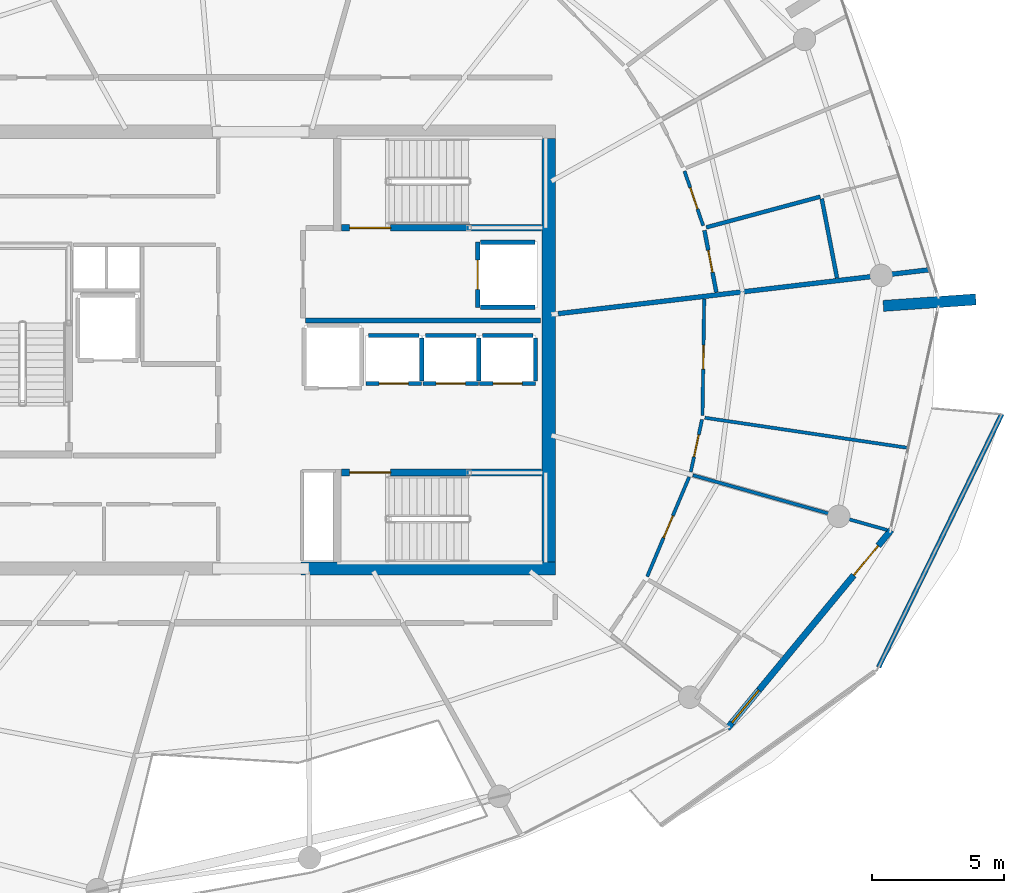
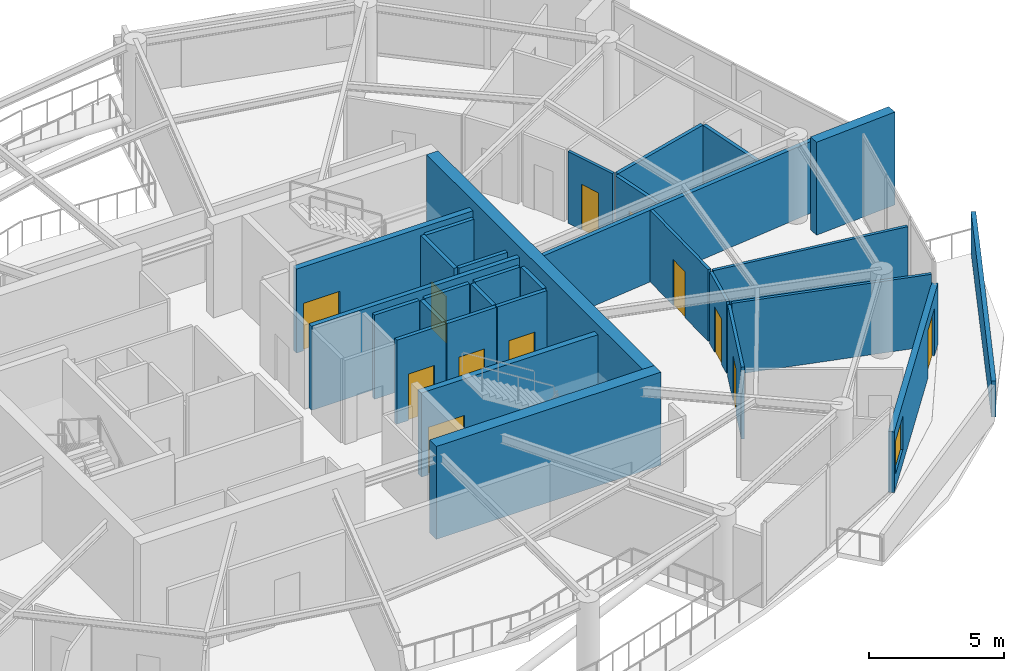
# One storey, part 14 of 21: 30 walls, 12 doors, 1 window, 13 openings.
"""IFC4 building model written with IfcOpenShell, lengths in metres."""

from ifc_helpers import new_model, si_unit, direction, frame, frame_2d, origin, place, context, subcontext, project, spatial, polyline, rectangle, outline, extrude, material, layer, layer_set, type_object, element, fill, save


model = new_model("IFC4")

# Units and contexts
model_context = context("Model", 3, precision=1e-05, world=origin(), true_north=direction((0.0, 1.0)))
body_context = subcontext(model_context, "Body", "Model", "MODEL_VIEW")
ifc_project = project(units=[si_unit("LENGTHUNIT", "METRE"), si_unit("AREAUNIT", "SQUARE_METRE"), si_unit("VOLUMEUNIT", "CUBIC_METRE"), si_unit("PLANEANGLEUNIT", "RADIAN"), si_unit("MASSUNIT", "GRAM", prefix="KILO")], contexts=[model_context])

# Site, building, storey
site_placement = place(None, origin())
site = spatial("IfcSite", under=ifc_project, at=site_placement, CompositionType="ELEMENT")
building_placement = place(site_placement, origin())
building = spatial("IfcBuilding", under=site, at=building_placement, Name="Kazma Halo Residences", CompositionType="ELEMENT")
storey_placement = place(building_placement, frame((0.0, 0.0, 338.89990234375)))
storey = spatial("IfcBuildingStorey", under=building, at=storey_placement, Name="L85", CompositionType="ELEMENT", Elevation=338.89990234375)

# Walls
ifc_material_1 = material(Name="White Concrete C50/60 Balustrade", Category="concrete")
ifc_layer_1 = layer(ifc_material_1, 0.179931640625)
ifc_layer_set_1 = layer_set([ifc_layer_1], Name="White Concrete C50/60 Balustrade")
wall_type_1 = type_object("IfcWallType", Name="WL-BAL-WAVE-180", PredefinedType="PARAPET", material=ifc_layer_set_1)
wall_1_placement = place(storey_placement, frame((71.763916015625, 30.0263671875, 0.0), z_axis=(0.0, 0.0, 1.0), x_axis=(0.437628769895, 0.899155748333, 0.0)))
element("IfcWall", 1, at=wall_1_placement, inside=storey, type_object=wall_type_1, Name="L85 white wave balustrade wall SE.2", PredefinedType="PARAPET", context=body_context, shape_type="SweptSolid", body=[
    extrude(outline(polyline([(0.0, 0.0), (10.634765625, 0.0), (10.634765625, 1.860107421875), (5.3173828125, 1.798095703125), (0.0, 1.632080078125), (0.0, 0.0)])), frame((0.0, 0.08984375, 0.0), z_axis=(0.0, -1.0, 0.0), x_axis=(1.0, 0.0, 0.0)), (0.0, 0.0, 1.0), 0.179931640625),
])
ifc_material_2 = material(Name="Pale Concrete C60/75", Category="concrete")
ifc_layer_2 = layer(ifc_material_2, 0.419921875)
ifc_layer_set_2 = layer_set([ifc_layer_2], Name="Pale Concrete C60/75")
wall_type_2 = type_object("IfcWallType", Name="WL-BLADE-420", PredefinedType="SOLIDWALL", material=ifc_layer_set_2)
wall_2_placement = place(storey_placement, frame((71.94091796875, 43.674072265625, 0.0), z_axis=(0.0, 0.0, 1.0), x_axis=(0.997564163539, 0.069754853754, 0.0)))
element("IfcWall", 2, at=wall_2_placement, inside=storey, type_object=wall_type_2, Name="L85 pale concrete structural blade fin wall BW-04", PredefinedType="SOLIDWALL", context=body_context, shape_type="SweptSolid", body=[
    extrude(rectangle(XDim=3.5, YDim=0.419921875, at=frame_2d((1.75, 0.0))), origin(), (0.0, 0.0, 1.0), 4.2001953125),
])
ifc_material_3 = material(Name="Concrete C60/75", Category="concrete")
ifc_layer_3 = layer(ifc_material_3, 0.5)
ifc_layer_set_3 = layer_set([ifc_layer_3], Name="Concrete C60/75")
wall_type_3 = type_object("IfcWallType", Name="WL-CORE-500", PredefinedType="SHEAR", material=ifc_layer_set_3)
wall_3_placement = place(storey_placement, frame((49.949951171875, 33.75, 0.0), z_axis=(0.0, 0.0, 1.0), x_axis=(1.0, 0.0, 0.0)))
element("IfcWall", 3, at=wall_3_placement, inside=storey, type_object=wall_type_3, Name="L85 central core shear wall SE", PredefinedType="SHEAR", context=body_context, shape_type="SweptSolid", body=[
    extrude(rectangle(XDim=9.60009765625, YDim=0.5, at=frame_2d((4.800048828125, 0.0))), origin(), (0.0, 0.0, 1.0), 4.2001953125),
])
wall_4_placement = place(storey_placement, frame((59.300048828125, 34.0, 0.0), z_axis=(0.0, 0.0, 1.0), x_axis=(0.0, 1.0, 0.0)))
element("IfcWall", 4, at=wall_4_placement, inside=storey, type_object=wall_type_3, Name="L85 central core shear wall E", PredefinedType="SHEAR", context=body_context, shape_type="SweptSolid", body=[
    extrude(rectangle(XDim=16.0, YDim=0.5, at=frame_2d((8.0, 0.0))), origin(), (0.0, 0.0, 1.0), 4.2001953125),
])
ifc_material_4 = material(Name="Acoustic Twin-Stud Gypsum")
ifc_layer_4 = layer(ifc_material_4, 0.179931640625)
ifc_layer_set_4 = layer_set([ifc_layer_4], Name="Acoustic Twin-Stud Gypsum")
wall_type_4 = type_object("IfcWallType", Name="WL-DEM-180", PredefinedType="PARTITIONING", material=ifc_layer_set_4)
wall_5_placement = place(storey_placement, frame((59.6591796875, 43.3798828125, 0.0), z_axis=(0.0, 0.0, 1.0), x_axis=(0.993068307517, 0.117538660041, 0.0)))
element("IfcWall", 5, at=wall_5_placement, inside=storey, type_object=wall_type_4, Name="L85 apartment demising radial wall 15", PredefinedType="PARTITIONING", context=body_context, shape_type="SweptSolid", body=[
    extrude(rectangle(XDim=14.09521484375, YDim=0.179931640625, at=frame_2d((7.047607421875, 0.0))), origin(), (0.0, 0.0, 1.0), 3.239990234375),
])

# Wall, openings, door, window
ifc_material_5 = material(Name="Insulated Pale-Metal Composite Wall")
ifc_layer_5 = layer(ifc_material_5, 0.239990234375)
ifc_layer_set_5 = layer_set([ifc_layer_5], Name="Insulated Pale-Metal Composite Wall")
wall_type_5 = type_object("IfcWallType", Name="WL-EXT-HOST-240", PredefinedType="SOLIDWALL", material=ifc_layer_set_5)
wall_6_placement = place(storey_placement, frame((66.044677734375, 27.711181640625, 0.0), z_axis=(0.0, 0.0, 1.0), x_axis=(0.636803612721, 0.771026042897, 0.0)))
wall_6 = element("IfcWall", 6, at=wall_6_placement, inside=storey, type_object=wall_type_5, Name="L85 exterior terrace-access wall B14", PredefinedType="SOLIDWALL", context=body_context, shape_type="SweptSolid", body=[
    extrude(rectangle(XDim=9.7275390625, YDim=0.239990234375, at=frame_2d((4.86376953125, 0.0))), origin(), (0.0, 0.0, 1.0), 2.75),
])
opening_1_placement = place(wall_6_placement, frame((7.5078125, 0.0, 0.0)))
opening_1 = element("IfcOpeningElement", 7, at=opening_1_placement, cuts=wall_6, Name="Opening DTR-1600", PredefinedType="OPENING", context=body_context, shape_type="SweptSolid", body=[
    extrude(rectangle(XDim=1.449951171875, YDim=2.14990234375, at=frame_2d((0.72509765625, 1.074951171875))), frame((0.0, 0.1298828125, 0.0), z_axis=(0.0, -1.0, 0.0), x_axis=(1.0, 0.0, 0.0)), (0.0, 0.0, 1.0), 0.260009765625),
])
opening_2_placement = place(wall_6_placement, frame((0.280029296875, 0.0, 0.64990234375)))
opening_2 = element("IfcOpeningElement", 8, at=opening_2_placement, cuts=wall_6, Name="Opening W-1800", PredefinedType="OPENING", context=body_context, shape_type="SweptSolid", body=[
    extrude(rectangle(XDim=1.60009765625, YDim=1.5, at=frame_2d((0.800048828125, 0.75))), frame((0.0, 0.1298828125, 0.0), z_axis=(0.0, -1.0, 0.0), x_axis=(1.0, 0.0, 0.0)), (0.0, 0.0, 1.0), 0.260009765625),
])
ifc_material_6 = material(Name="Aluminium AW-6063 T6 Double-Glazed Terrace Door", Category="aluminium")
door_type_1 = type_object("IfcDoorType", Name="DR-EXT-TERR-1600", OperationType="NOTDEFINED", PredefinedType="DOOR", material=ifc_material_6)
door_1_placement = place(opening_1_placement, origin())
door_1 = element("IfcDoor", 9, at=door_1_placement, inside=storey, type_object=door_type_1, Name="L85 B14 balcony terrace door", OperationType="DOUBLE_DOOR_SLIDING", OverallHeight=2.14990234375, OverallWidth=1.449951171875, PredefinedType="DOOR", context=body_context, shape_type="SweptSolid", body=[
    extrude(rectangle(XDim=1.449951171875, YDim=2.14990234375, at=frame_2d((0.72509765625, 1.074951171875))), frame((0.0, 0.02490234375, 0.0), z_axis=(0.0, -1.0, 0.0), x_axis=(1.0, 0.0, 0.0)), (0.0, 0.0, 1.0), 0.050048828125),
])
fill(opening_1, door_1)
ifc_material_7 = material(Name="Clear Triple-Silver Low-E Glass in Aluminium AW-6063 T6 Frame", Category="aluminium")
window_type = type_object("IfcWindowType", Name="WIN-RES-1800", PartitioningType="DOUBLE_PANEL_VERTICAL", PredefinedType="WINDOW", material=ifc_material_7)
window_placement = place(opening_2_placement, origin())
window = element("IfcWindow", 10, at=window_placement, inside=storey, type_object=window_type, Name="L85 B14 apartment window", OverallHeight=1.5, OverallWidth=1.60009765625, PartitioningType="SINGLE_PANEL", PredefinedType="WINDOW", context=body_context, shape_type="SweptSolid", body=[
    extrude(rectangle(XDim=1.60009765625, YDim=1.5, at=frame_2d((0.800048828125, 0.75))), frame((0.0, 0.030029296875, 0.0), z_axis=(0.0, -1.0, 0.0), x_axis=(1.0, 0.0, 0.0)), (0.0, 0.0, 1.0), 0.06005859375),
])
fill(opening_2, window)

# Wall, opening, door
ifc_material_8 = material(Name="Fire-Rated Blockwork Masonry", Category="masonry")
ifc_layer_6 = layer(ifc_material_8, 0.199951171875)
ifc_layer_set_6 = layer_set([ifc_layer_6], Name="Fire-Rated Blockwork Masonry")
wall_type_6 = type_object("IfcWallType", Name="WL-FLB-200", PredefinedType="PARTITIONING", material=ifc_layer_set_6)
wall_7_placement = place(storey_placement, frame((54.5048828125, 40.7451171875, 0.0), z_axis=(0.0, 0.0, 1.0), x_axis=(-1.0, 0.0, 0.0)))
wall_7 = element("IfcWall", 11, at=wall_7_placement, inside=storey, type_object=wall_type_6, Name="L85 lift shaft PH-01 front wall", PredefinedType="PARTITIONING", context=body_context, shape_type="SweptSolid", body=[
    extrude(rectangle(XDim=2.10986328125, YDim=0.159912109375, at=frame_2d((1.054931640625, 0.0))), origin(), (0.0, 0.0, 1.0), 3.800048828125),
])
opening_3_placement = place(wall_7_placement, frame((0.5048828125, 0.0, 0.0)))
opening_3 = element("IfcOpeningElement", 12, at=opening_3_placement, cuts=wall_7, Name="Opening LD-PH-01", PredefinedType="OPENING", context=body_context, shape_type="SweptSolid", body=[
    extrude(rectangle(XDim=1.10009765625, YDim=2.10009765625, at=frame_2d((0.550048828125, 1.050048828125))), frame((0.0, 0.08984375, 0.0), z_axis=(0.0, -1.0, 0.0), x_axis=(1.0, 0.0, 0.0)), (0.0, 0.0, 1.0), 0.179931640625),
])
ifc_material_9 = material(Name="Stainless Steel Fire-Rated", Category="steel")
door_type_2 = type_object("IfcDoorType", Name="DR-LIFT-SLD-1100", OperationType="DOUBLE_DOOR_SLIDING", PredefinedType="DOOR", material=ifc_material_9)
door_2_placement = place(opening_3_placement, origin())
door_2 = element("IfcDoor", 13, at=door_2_placement, inside=storey, type_object=door_type_2, Name="L85 lift PH-01 sliding landing door", OperationType="DOUBLE_DOOR_SLIDING", OverallHeight=2.10009765625, OverallWidth=1.10009765625, PredefinedType="DOOR", context=body_context, shape_type="SweptSolid", body=[
    extrude(rectangle(XDim=1.10009765625, YDim=2.10009765625, at=frame_2d((0.550048828125, 1.050048828125))), frame((0.0, 0.02490234375, 0.0), z_axis=(0.0, -1.0, 0.0), x_axis=(1.0, 0.0, 0.0)), (0.0, 0.0, 1.0), 0.050048828125),
])
fill(opening_3, door_2)

# Walls
wall_8_placement = place(storey_placement, frame((54.5048828125, 40.844970703125, 0.0), z_axis=(0.0, 0.0, 1.0), x_axis=(0.0, 1.0, 0.0)))
element("IfcWall", 14, at=wall_8_placement, inside=storey, type_object=wall_type_6, Name="L85 lift shaft PH-01 side wall E", PredefinedType="PARTITIONING", context=body_context, shape_type="SweptSolid", body=[
    extrude(rectangle(XDim=1.610107421875, YDim=0.159912109375, at=frame_2d((0.80517578125, 0.0))), origin(), (0.0, 0.0, 1.0), 3.800048828125),
])
wall_9_placement = place(storey_placement, frame((52.4951171875, 42.554931640625, 0.0), z_axis=(0.0, 0.0, 1.0), x_axis=(1.0, 0.0, 0.0)))
element("IfcWall", 15, at=wall_9_placement, inside=storey, type_object=wall_type_6, Name="L85 lift shaft PH-01 side wall N", PredefinedType="PARTITIONING", context=body_context, shape_type="SweptSolid", body=[
    extrude(rectangle(XDim=1.909912109375, YDim=0.159912109375, at=frame_2d((0.955078125, 0.0))), origin(), (0.0, 0.0, 1.0), 3.800048828125),
])

# Wall, opening, door
wall_10_placement = place(storey_placement, frame((56.655029296875, 40.7451171875, 0.0), z_axis=(0.0, 0.0, 1.0), x_axis=(-1.0, 0.0, 0.0)))
wall_10 = element("IfcWall", 16, at=wall_10_placement, inside=storey, type_object=wall_type_6, Name="L85 lift shaft PH-02 front wall", PredefinedType="PARTITIONING", context=body_context, shape_type="SweptSolid", body=[
    extrude(rectangle(XDim=2.110107421875, YDim=0.159912109375, at=frame_2d((1.05517578125, 0.0))), origin(), (0.0, 0.0, 1.0), 3.800048828125),
])
opening_4_placement = place(wall_10_placement, frame((0.5048828125, 0.0, 0.0)))
opening_4 = element("IfcOpeningElement", 17, at=opening_4_placement, cuts=wall_10, Name="Opening LD-PH-02", PredefinedType="OPENING", context=body_context, shape_type="SweptSolid", body=[
    extrude(rectangle(XDim=1.10009765625, YDim=2.10009765625, at=frame_2d((0.550048828125, 1.050048828125))), frame((0.0, 0.08984375, 0.0), z_axis=(0.0, -1.0, 0.0), x_axis=(1.0, 0.0, 0.0)), (0.0, 0.0, 1.0), 0.179931640625),
])
door_3_placement = place(opening_4_placement, origin())
door_3 = element("IfcDoor", 18, at=door_3_placement, inside=storey, type_object=door_type_2, Name="L85 lift PH-02 sliding landing door", OperationType="DOUBLE_DOOR_SLIDING", OverallHeight=2.10009765625, OverallWidth=1.10009765625, PredefinedType="DOOR", context=body_context, shape_type="SweptSolid", body=[
    extrude(rectangle(XDim=1.10009765625, YDim=2.10009765625, at=frame_2d((0.550048828125, 1.050048828125))), frame((0.0, 0.02490234375, 0.0), z_axis=(0.0, -1.0, 0.0), x_axis=(1.0, 0.0, 0.0)), (0.0, 0.0, 1.0), 0.050048828125),
])
fill(opening_4, door_3)

# Walls
wall_11_placement = place(storey_placement, frame((56.655029296875, 40.844970703125, 0.0), z_axis=(0.0, 0.0, 1.0), x_axis=(0.0, 1.0, 0.0)))
element("IfcWall", 19, at=wall_11_placement, inside=storey, type_object=wall_type_6, Name="L85 lift shaft PH-02 side wall E", PredefinedType="PARTITIONING", context=body_context, shape_type="SweptSolid", body=[
    extrude(rectangle(XDim=1.610107421875, YDim=0.159912109375, at=frame_2d((0.80517578125, 0.0))), origin(), (0.0, 0.0, 1.0), 3.800048828125),
])
wall_12_placement = place(storey_placement, frame((54.64501953125, 42.554931640625, 0.0), z_axis=(0.0, 0.0, 1.0), x_axis=(1.0, 0.0, 0.0)))
element("IfcWall", 20, at=wall_12_placement, inside=storey, type_object=wall_type_6, Name="L85 lift shaft PH-02 side wall N", PredefinedType="PARTITIONING", context=body_context, shape_type="SweptSolid", body=[
    extrude(rectangle(XDim=1.909912109375, YDim=0.159912109375, at=frame_2d((0.955078125, 0.0))), origin(), (0.0, 0.0, 1.0), 3.800048828125),
])

# Wall, opening, door
wall_13_placement = place(storey_placement, frame((58.804931640625, 40.7451171875, 0.0), z_axis=(0.0, 0.0, 1.0), x_axis=(-1.0, 0.0, 0.0)))
wall_13 = element("IfcWall", 21, at=wall_13_placement, inside=storey, type_object=wall_type_6, Name="L85 lift shaft PH-03 front wall", PredefinedType="PARTITIONING", context=body_context, shape_type="SweptSolid", body=[
    extrude(rectangle(XDim=2.10986328125, YDim=0.159912109375, at=frame_2d((1.054931640625, 0.0))), origin(), (0.0, 0.0, 1.0), 3.800048828125),
])
opening_5_placement = place(wall_13_placement, frame((0.5048828125, 0.0, 0.0)))
opening_5 = element("IfcOpeningElement", 22, at=opening_5_placement, cuts=wall_13, Name="Opening LD-PH-03", PredefinedType="OPENING", context=body_context, shape_type="SweptSolid", body=[
    extrude(rectangle(XDim=1.10009765625, YDim=2.10009765625, at=frame_2d((0.550048828125, 1.050048828125))), frame((0.0, 0.08984375, 0.0), z_axis=(0.0, -1.0, 0.0), x_axis=(1.0, 0.0, 0.0)), (0.0, 0.0, 1.0), 0.179931640625),
])
door_4_placement = place(opening_5_placement, origin())
door_4 = element("IfcDoor", 23, at=door_4_placement, inside=storey, type_object=door_type_2, Name="L85 lift PH-03 sliding landing door", OperationType="DOUBLE_DOOR_SLIDING", OverallHeight=2.10009765625, OverallWidth=1.10009765625, PredefinedType="DOOR", context=body_context, shape_type="SweptSolid", body=[
    extrude(rectangle(XDim=1.10009765625, YDim=2.10009765625, at=frame_2d((0.550048828125, 1.050048828125))), frame((0.0, 0.02490234375, 0.0), z_axis=(0.0, -1.0, 0.0), x_axis=(1.0, 0.0, 0.0)), (0.0, 0.0, 1.0), 0.050048828125),
])
fill(opening_5, door_4)

# Walls
wall_14_placement = place(storey_placement, frame((58.804931640625, 40.844970703125, 0.0), z_axis=(0.0, 0.0, 1.0), x_axis=(0.0, 1.0, 0.0)))
element("IfcWall", 24, at=wall_14_placement, inside=storey, type_object=wall_type_6, Name="L85 lift shaft PH-03 side wall E", PredefinedType="PARTITIONING", context=body_context, shape_type="SweptSolid", body=[
    extrude(rectangle(XDim=1.610107421875, YDim=0.159912109375, at=frame_2d((0.80517578125, 0.0))), origin(), (0.0, 0.0, 1.0), 3.800048828125),
])
wall_15_placement = place(storey_placement, frame((56.794921875, 42.554931640625, 0.0), z_axis=(0.0, 0.0, 1.0), x_axis=(1.0, 0.0, 0.0)))
element("IfcWall", 25, at=wall_15_placement, inside=storey, type_object=wall_type_6, Name="L85 lift shaft PH-03 side wall N", PredefinedType="PARTITIONING", context=body_context, shape_type="SweptSolid", body=[
    extrude(rectangle(XDim=1.91015625, YDim=0.159912109375, at=frame_2d((0.955078125, 0.0))), origin(), (0.0, 0.0, 1.0), 3.800048828125),
])

# Wall, opening, door
wall_16_placement = place(storey_placement, frame((56.6201171875, 46.080078125, 0.0), z_axis=(0.0, 0.0, 1.0), x_axis=(0.0, -1.0, 0.0)))
wall_16 = element("IfcWall", 26, at=wall_16_placement, inside=storey, type_object=wall_type_6, Name="L85 lift shaft FL-02 front wall", PredefinedType="PARTITIONING", context=body_context, shape_type="SweptSolid", body=[
    extrude(rectangle(XDim=2.4599609375, YDim=0.159912109375, at=frame_2d((1.22998046875, 0.0))), origin(), (0.0, 0.0, 1.0), 3.800048828125),
])
opening_6_placement = place(wall_16_placement, frame((0.679931640625, 0.0, 0.0)))
opening_6 = element("IfcOpeningElement", 27, at=opening_6_placement, cuts=wall_16, Name="Opening LD-FL-02", PredefinedType="OPENING", context=body_context, shape_type="SweptSolid", body=[
    extrude(rectangle(XDim=1.10009765625, YDim=2.10009765625, at=frame_2d((0.550048828125, 1.050048828125))), frame((0.0, 0.08984375, 0.0), z_axis=(0.0, -1.0, 0.0), x_axis=(1.0, 0.0, 0.0)), (0.0, 0.0, 1.0), 0.179931640625),
])
door_5_placement = place(opening_6_placement, origin())
door_5 = element("IfcDoor", 28, at=door_5_placement, inside=storey, type_object=door_type_2, Name="L85 lift FL-02 sliding landing door", OperationType="DOUBLE_DOOR_SLIDING", OverallHeight=2.10009765625, OverallWidth=1.10009765625, PredefinedType="DOOR", context=body_context, shape_type="SweptSolid", body=[
    extrude(rectangle(XDim=1.10009765625, YDim=2.10009765625, at=frame_2d((0.550048828125, 1.050048828125))), frame((0.0, 0.02490234375, 0.0), z_axis=(0.0, -1.0, 0.0), x_axis=(1.0, 0.0, 0.0)), (0.0, 0.0, 1.0), 0.050048828125),
])
fill(opening_6, door_5)

# Walls
for number, where, z_axis, x_axis, name in (
    (29, (56.719970703125, 46.080078125, 0.0), (0.0, 0.0, 1.0), (1.0, 0.0, 0.0), "L85 lift shaft FL-02 side wall N"),
    (30, (56.719970703125, 43.6201171875, 0.0), (0.0, 0.0, 1.0), (1.0, 0.0, 0.0), "L85 lift shaft FL-02 side wall S"),
):
    element("IfcWall", number, at=place(storey_placement, frame(where, z_axis=z_axis, x_axis=x_axis)), inside=storey, type_object=wall_type_6, Name=name, PredefinedType="PARTITIONING", context=body_context, shape_type="SweptSolid", body=[
        extrude(rectangle(XDim=2.06005859375, YDim=0.159912109375, at=frame_2d((1.030029296875, 0.0))), origin(), (0.0, 0.0, 1.0), 3.800048828125),
    ])
wall_17_placement = place(storey_placement, frame((50.1201171875, 43.1201171875, 0.0), z_axis=(0.0, 0.0, 1.0), x_axis=(1.0, 0.0, 0.0)))
element("IfcWall", 31, at=wall_17_placement, inside=storey, type_object=wall_type_6, Name="L85 east firefighting lobby south smoke wall", PredefinedType="PARTITIONING", context=body_context, shape_type="SweptSolid", body=[
    extrude(rectangle(XDim=8.8798828125, YDim=0.199951171875, at=frame_2d((4.43994140625, 0.0))), origin(), (0.0, 0.0, 1.0), 3.800048828125),
])

# Wall, opening, door
ifc_material_10 = material(Name="Gypsum Plasterboard Partition")
ifc_layer_7 = layer(ifc_material_10, 0.125)
ifc_layer_set_7 = layer_set([ifc_layer_7], Name="Gypsum Plasterboard Partition")
wall_type_7 = type_object("IfcWallType", Name="WL-PART-125", PredefinedType="PARTITIONING", material=ifc_layer_set_7)
wall_18_placement = place(storey_placement, frame((63.021484375, 33.448486328125, 0.0), z_axis=(0.0, 0.0, 1.0), x_axis=(0.388350881923, 0.921511580236, 0.0)))
wall_18 = element("IfcWall", 32, at=wall_18_placement, inside=storey, type_object=wall_type_7, Name="L85 Penthouse 3 Gourmet Kitchen hall wall", PredefinedType="PARTITIONING", context=body_context, shape_type="SweptSolid", body=[
    extrude(rectangle(XDim=4.0849609375, YDim=0.125, at=frame_2d((2.04248046875, 0.0))), origin(), (0.0, 0.0, 1.0), 3.239990234375),
])
opening_7_placement = place(wall_18_placement, frame((1.592529296875, 0.0, 0.0)))
opening_7 = element("IfcOpeningElement", 33, at=opening_7_placement, cuts=wall_18, Name="Opening DI-950", PredefinedType="OPENING", context=body_context, shape_type="SweptSolid", body=[
    extrude(rectangle(XDim=0.89990234375, YDim=2.080078125, at=frame_2d((0.449951171875, 1.0400390625))), frame((0.0, 0.072509765625, 0.0), z_axis=(0.0, -1.0, 0.0), x_axis=(1.0, 0.0, 0.0)), (0.0, 0.0, 1.0), 0.14501953125),
])
ifc_material_11 = material(Name="Timber Veneer Flush Leaf", Category="wood")
door_type_3 = type_object("IfcDoorType", Name="DR-INT-950", OperationType="NOTDEFINED", PredefinedType="DOOR", material=ifc_material_11)
door_6_placement = place(opening_7_placement, origin())
door_6 = element("IfcDoor", 34, at=door_6_placement, inside=storey, type_object=door_type_3, Name="L85 Penthouse 3 Gourmet Kitchen door", OperationType="SINGLE_SWING_LEFT", OverallHeight=2.080078125, OverallWidth=0.89990234375, PredefinedType="DOOR", context=body_context, shape_type="SweptSolid", body=[
    extrude(rectangle(XDim=0.89990234375, YDim=2.080078125, at=frame_2d((0.449951171875, 1.0400390625))), frame((0.0, 0.02490234375, 0.0), z_axis=(0.0, -1.0, 0.0), x_axis=(1.0, 0.0, 0.0)), (0.0, 0.0, 1.0), 0.050048828125),
])
fill(opening_7, door_6)

# Walls
wall_19_placement = place(storey_placement, frame((64.742919921875, 37.278076171875, 0.0), z_axis=(0.0, 0.0, 1.0), x_axis=(0.962455248497, -0.271440407162, 0.0)))
element("IfcWall", 35, at=wall_19_placement, inside=storey, type_object=wall_type_7, Name="L85 Penthouse 3 radial partition 14", PredefinedType="PARTITIONING", context=body_context, shape_type="SweptSolid", body=[
    extrude(rectangle(XDim=7.630615234375, YDim=0.125, at=frame_2d((3.8154296875, 0.0))), origin(), (0.0, 0.0, 1.0), 3.239990234375),
])
wall_20_placement = place(storey_placement, frame((65.19775390625, 39.448974609375, 0.0), z_axis=(0.0, 0.0, 1.0), x_axis=(0.989175166879, -0.146739528518, 0.0)))
element("IfcWall", 36, at=wall_20_placement, inside=storey, type_object=wall_type_7, Name="L85 Penthouse 3 mid-bay wall 14", PredefinedType="PARTITIONING", context=body_context, shape_type="SweptSolid", body=[
    extrude(rectangle(XDim=7.741455078125, YDim=0.125, at=frame_2d((3.87060546875, 0.0))), origin(), (0.0, 0.0, 1.0), 3.239990234375),
])

# Wall, opening, door
wall_21_placement = place(storey_placement, frame((64.66748046875, 37.403076171875, 0.0), z_axis=(0.0, 0.0, 1.0), x_axis=(0.209586703472, 0.977790066286, 0.0)))
wall_21 = element("IfcWall", 37, at=wall_21_placement, inside=storey, type_object=wall_type_7, Name="L85 Penthouse 3 Primary Dressing Wardrobe hall wall", PredefinedType="PARTITIONING", context=body_context, shape_type="SweptSolid", body=[
    extrude(rectangle(XDim=2.025634765625, YDim=0.125, at=frame_2d((1.0126953125, 0.0))), origin(), (0.0, 0.0, 1.0), 3.239990234375),
])
opening_8_placement = place(wall_21_placement, frame((0.587890625, 0.0, 0.0)))
opening_8 = element("IfcOpeningElement", 38, at=opening_8_placement, cuts=wall_21, Name="Opening DB-900", PredefinedType="OPENING", context=body_context, shape_type="SweptSolid", body=[
    extrude(rectangle(XDim=0.85009765625, YDim=2.06005859375, at=frame_2d((0.425048828125, 1.030029296875))), frame((0.0, 0.072509765625, 0.0), z_axis=(0.0, -1.0, 0.0), x_axis=(1.0, 0.0, 0.0)), (0.0, 0.0, 1.0), 0.14501953125),
])
ifc_material_12 = material(Name="Moisture-Sealed Timber Leaf", Category="wood")
door_type_4 = type_object("IfcDoorType", Name="DR-BTH-900", OperationType="NOTDEFINED", PredefinedType="DOOR", material=ifc_material_12)
door_7_placement = place(opening_8_placement, origin())
door_7 = element("IfcDoor", 39, at=door_7_placement, inside=storey, type_object=door_type_4, Name="L85 Penthouse 3 Primary Dressing Wardrobe door", OperationType="SINGLE_SWING_RIGHT", OverallHeight=2.06005859375, OverallWidth=0.85009765625, PredefinedType="DOOR", context=body_context, shape_type="SweptSolid", body=[
    extrude(rectangle(XDim=0.85009765625, YDim=2.06005859375, at=frame_2d((0.425048828125, 1.030029296875))), frame((0.0, 0.02490234375, 0.0), z_axis=(0.0, -1.0, 0.0), x_axis=(1.0, 0.0, 0.0)), (0.0, 0.0, 1.0), 0.050048828125),
])
fill(opening_8, door_7)

wall_22_placement = place(storey_placement, frame((65.110107421875, 39.5419921875, 0.0), z_axis=(0.0, 0.0, 1.0), x_axis=(0.014677317906, 0.999892282368, 0.0)))
wall_22 = element("IfcWall", 40, at=wall_22_placement, inside=storey, type_object=wall_type_7, Name="L85 Penthouse 3 Secondary Master Bedroom hall wall", PredefinedType="PARTITIONING", context=body_context, shape_type="SweptSolid", body=[
    extrude(rectangle(XDim=4.391357421875, YDim=0.125, at=frame_2d((2.19580078125, 0.0))), origin(), (0.0, 0.0, 1.0), 3.239990234375),
])
opening_9_placement = place(wall_22_placement, frame((1.74560546875, 0.0, 0.0)))
opening_9 = element("IfcOpeningElement", 41, at=opening_9_placement, cuts=wall_22, Name="Opening DI-950", PredefinedType="OPENING", context=body_context, shape_type="SweptSolid", body=[
    extrude(rectangle(XDim=0.89990234375, YDim=2.080078125, at=frame_2d((0.449951171875, 1.0400390625))), frame((0.0, 0.072509765625, 0.0), z_axis=(0.0, -1.0, 0.0), x_axis=(1.0, 0.0, 0.0)), (0.0, 0.0, 1.0), 0.14501953125),
])
door_8_placement = place(opening_9_placement, origin())
door_8 = element("IfcDoor", 42, at=door_8_placement, inside=storey, type_object=door_type_3, Name="L85 Penthouse 3 Secondary Master Bedroom door", OperationType="SINGLE_SWING_LEFT", OverallHeight=2.080078125, OverallWidth=0.89990234375, PredefinedType="DOOR", context=body_context, shape_type="SweptSolid", body=[
    extrude(rectangle(XDim=0.89990234375, YDim=2.080078125, at=frame_2d((0.449951171875, 1.0400390625))), frame((0.0, 0.02490234375, 0.0), z_axis=(0.0, -1.0, 0.0), x_axis=(1.0, 0.0, 0.0)), (0.0, 0.0, 1.0), 0.050048828125),
])
fill(opening_9, door_8)

wall_23_placement = place(storey_placement, frame((65.136962890625, 46.70166015625, 0.0), z_axis=(0.0, 0.0, 1.0), x_axis=(-0.323158498211, 0.946344855237, 0.0)))
wall_23 = element("IfcWall", 43, at=wall_23_placement, inside=storey, type_object=wall_type_7, Name="L85 Penthouse 4 Gourmet Kitchen hall wall", PredefinedType="PARTITIONING", context=body_context, shape_type="SweptSolid", body=[
    extrude(rectangle(XDim=2.184814453125, YDim=0.125, at=frame_2d((1.09228515625, 0.0))), origin(), (0.0, 0.0, 1.0), 3.239990234375),
])
opening_10_placement = place(wall_23_placement, frame((0.66748046875, 0.0, 0.0)))
opening_10 = element("IfcOpeningElement", 44, at=opening_10_placement, cuts=wall_23, Name="Opening DB-900", PredefinedType="OPENING", context=body_context, shape_type="SweptSolid", body=[
    extrude(rectangle(XDim=0.85009765625, YDim=2.06005859375, at=frame_2d((0.425048828125, 1.030029296875))), frame((0.0, 0.072509765625, 0.0), z_axis=(0.0, -1.0, 0.0), x_axis=(1.0, 0.0, 0.0)), (0.0, 0.0, 1.0), 0.14501953125),
])
door_9_placement = place(opening_10_placement, origin())
door_9 = element("IfcDoor", 45, at=door_9_placement, inside=storey, type_object=door_type_4, Name="L85 Penthouse 4 Gourmet Kitchen door", OperationType="SINGLE_SWING_LEFT", OverallHeight=2.06005859375, OverallWidth=0.85009765625, PredefinedType="DOOR", context=body_context, shape_type="SweptSolid", body=[
    extrude(rectangle(XDim=0.85009765625, YDim=2.06005859375, at=frame_2d((0.425048828125, 1.030029296875))), frame((0.0, 0.02490234375, 0.0), z_axis=(0.0, -1.0, 0.0), x_axis=(1.0, 0.0, 0.0)), (0.0, 0.0, 1.0), 0.050048828125),
])
fill(opening_10, door_9)

ifc_material_13 = material(Name="Concrete C50/60", Category="concrete")
ifc_layer_8 = layer(ifc_material_13, 0.25)
ifc_layer_set_8 = layer_set([ifc_layer_8], Name="Concrete C50/60")
wall_type_8 = type_object("IfcWallType", Name="WL-SHF-250", PredefinedType="SOLIDWALL", material=ifc_layer_set_8)
wall_24_placement = place(storey_placement, frame((51.47998046875, 46.6201171875, 0.0), z_axis=(0.0, 0.0, 1.0), x_axis=(1.0, 0.0, 0.0)))
wall_24 = element("IfcWall", 46, at=wall_24_placement, inside=storey, type_object=wall_type_8, Name="L85 exit stair ST-02 enclosure wall", PredefinedType="SOLIDWALL", context=body_context, shape_type="SweptSolid", body=[
    extrude(rectangle(XDim=7.5400390625, YDim=0.25, at=frame_2d((3.77001953125, 0.0))), origin(), (0.0, 0.0, 1.0), 3.800048828125),
])
opening_11_placement = place(wall_24_placement, frame((0.300048828125, 0.0, 0.0)))
opening_11 = element("IfcOpeningElement", 47, at=opening_11_placement, cuts=wall_24, Name="Opening D-ST2", PredefinedType="OPENING", context=body_context, shape_type="SweptSolid", body=[
    extrude(rectangle(XDim=1.550048828125, YDim=2.14990234375, at=frame_2d((0.77490234375, 1.074951171875))), frame((0.0, 0.135009765625, 0.0), z_axis=(0.0, -1.0, 0.0), x_axis=(1.0, 0.0, 0.0)), (0.0, 0.0, 1.0), 0.27001953125),
])
ifc_material_14 = material(Name="Fire-Rated Double Steel Leaf", Category="steel")
door_type_5 = type_object("IfcDoorType", Name="DR-FD90-1550", OperationType="NOTDEFINED", PredefinedType="DOOR", material=ifc_material_14)
door_10_placement = place(opening_11_placement, origin())
door_10 = element("IfcDoor", 48, at=door_10_placement, inside=storey, type_object=door_type_5, Name="L85 exit stair ST-02 fire door", OperationType="DOUBLE_DOOR_SINGLE_SWING", OverallHeight=2.14990234375, OverallWidth=1.550048828125, PredefinedType="DOOR", context=body_context, shape_type="SweptSolid", body=[
    extrude(rectangle(XDim=1.550048828125, YDim=2.14990234375, at=frame_2d((0.77490234375, 1.074951171875))), frame((0.0, 0.02490234375, 0.0), z_axis=(0.0, -1.0, 0.0), x_axis=(1.0, 0.0, 0.0)), (0.0, 0.0, 1.0), 0.050048828125),
])
fill(opening_11, door_10)

wall_25_placement = place(storey_placement, frame((51.47998046875, 37.3798828125, 0.0), z_axis=(0.0, 0.0, 1.0), x_axis=(1.0, 0.0, 0.0)))
wall_25 = element("IfcWall", 49, at=wall_25_placement, inside=storey, type_object=wall_type_8, Name="L85 exit stair ST-03 enclosure wall", PredefinedType="SOLIDWALL", context=body_context, shape_type="SweptSolid", body=[
    extrude(rectangle(XDim=7.5400390625, YDim=0.25, at=frame_2d((3.77001953125, 0.0))), origin(), (0.0, 0.0, 1.0), 3.800048828125),
])
opening_12_placement = place(wall_25_placement, frame((0.300048828125, 0.0, 0.0)))
opening_12 = element("IfcOpeningElement", 50, at=opening_12_placement, cuts=wall_25, Name="Opening D-ST3", PredefinedType="OPENING", context=body_context, shape_type="SweptSolid", body=[
    extrude(rectangle(XDim=1.550048828125, YDim=2.14990234375, at=frame_2d((0.77490234375, 1.074951171875))), frame((0.0, 0.135009765625, 0.0), z_axis=(0.0, -1.0, 0.0), x_axis=(1.0, 0.0, 0.0)), (0.0, 0.0, 1.0), 0.27001953125),
])
door_11_placement = place(opening_12_placement, origin())
door_11 = element("IfcDoor", 51, at=door_11_placement, inside=storey, type_object=door_type_5, Name="L85 exit stair ST-03 fire door", OperationType="DOUBLE_DOOR_SINGLE_SWING", OverallHeight=2.14990234375, OverallWidth=1.550048828125, PredefinedType="DOOR", context=body_context, shape_type="SweptSolid", body=[
    extrude(rectangle(XDim=1.550048828125, YDim=2.14990234375, at=frame_2d((0.77490234375, 1.074951171875))), frame((0.0, 0.02490234375, 0.0), z_axis=(0.0, -1.0, 0.0), x_axis=(1.0, 0.0, 0.0)), (0.0, 0.0, 1.0), 0.050048828125),
])
fill(opening_12, door_11)

ifc_material_15 = material(Name="Moisture-Resistant Gypsum")
ifc_layer_9 = layer(ifc_material_15, 0.14990234375)
ifc_layer_set_9 = layer_set([ifc_layer_9], Name="Moisture-Resistant Gypsum")
wall_type_9 = type_object("IfcWallType", Name="WL-WET-150", PredefinedType="PARTITIONING", material=ifc_layer_set_9)
wall_26_placement = place(storey_placement, frame((65.6337890625, 44.1875, 0.0), z_axis=(0.0, 0.0, 1.0), x_axis=(-0.189079126285, 0.981961854658, 0.0)))
wall_26 = element("IfcWall", 52, at=wall_26_placement, inside=storey, type_object=wall_type_9, Name="L85 Penthouse 4 Guest Bathroom hall wall", PredefinedType="PARTITIONING", context=body_context, shape_type="SweptSolid", body=[
    extrude(rectangle(XDim=2.383544921875, YDim=0.14990234375, at=frame_2d((1.19189453125, 0.0))), origin(), (0.0, 0.0, 1.0), 3.239990234375),
])
opening_13_placement = place(wall_26_placement, frame((0.766845703125, 0.0, 0.0)))
opening_13 = element("IfcOpeningElement", 53, at=opening_13_placement, cuts=wall_26, Name="Opening DB-900", PredefinedType="OPENING", context=body_context, shape_type="SweptSolid", body=[
    extrude(rectangle(XDim=0.85009765625, YDim=2.06005859375, at=frame_2d((0.425048828125, 1.030029296875))), frame((0.0, 0.0849609375, 0.0), z_axis=(0.0, -1.0, 0.0), x_axis=(1.0, 0.0, 0.0)), (0.0, 0.0, 1.0), 0.169921875),
])
door_12_placement = place(opening_13_placement, origin())
door_12 = element("IfcDoor", 54, at=door_12_placement, inside=storey, type_object=door_type_4, Name="L85 Penthouse 4 Guest Bathroom door", OperationType="SINGLE_SWING_LEFT", OverallHeight=2.06005859375, OverallWidth=0.85009765625, PredefinedType="DOOR", context=body_context, shape_type="SweptSolid", body=[
    extrude(rectangle(XDim=0.85009765625, YDim=2.06005859375, at=frame_2d((0.425048828125, 1.030029296875))), frame((0.0, 0.02490234375, 0.0), z_axis=(0.0, -1.0, 0.0), x_axis=(1.0, 0.0, 0.0)), (0.0, 0.0, 1.0), 0.050048828125),
])
fill(opening_13, door_12)

# Walls
wall_27_placement = place(storey_placement, frame((70.192138671875, 44.72705078125, 0.0), z_axis=(0.0, 0.0, 1.0), x_axis=(-0.189180095144, 0.981942407477, 0.0)))
element("IfcWall", 55, at=wall_27_placement, inside=storey, type_object=wall_type_9, Name="L85 Penthouse 4 Guest Bathroom back wall", PredefinedType="PARTITIONING", context=body_context, shape_type="SweptSolid", body=[
    extrude(rectangle(XDim=3.048095703125, YDim=0.14990234375, at=frame_2d((1.52392578125, 0.0))), origin(), (0.0, 0.0, 1.0), 3.239990234375),
])
wall_28_placement = place(storey_placement, frame((65.2529296875, 46.639892578125, 0.0), z_axis=(0.0, 0.0, 1.0), x_axis=(0.96569498994, 0.259679006477, 0.0)))
element("IfcWall", 56, at=wall_28_placement, inside=storey, type_object=wall_type_9, Name="L85 Penthouse 4 Guest Bathroom side wall", PredefinedType="PARTITIONING", context=body_context, shape_type="SweptSolid", body=[
    extrude(rectangle(XDim=4.460205078125, YDim=0.14990234375, at=frame_2d((2.22998046875, 0.0))), origin(), (0.0, 0.0, 1.0), 3.239990234375),
])

save(model, "model.ifc")
